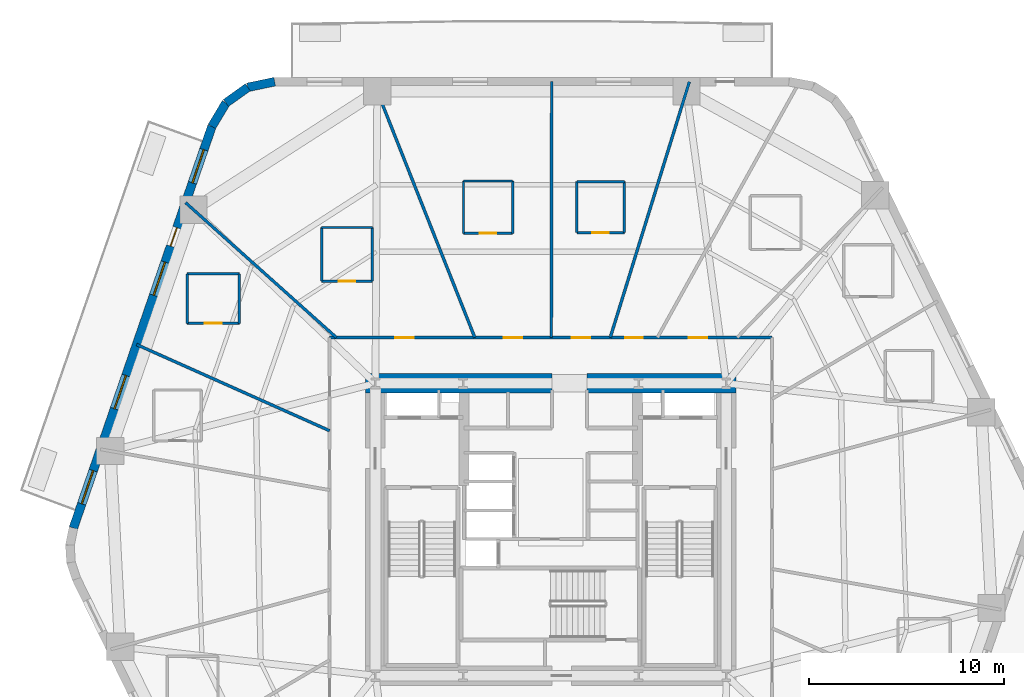
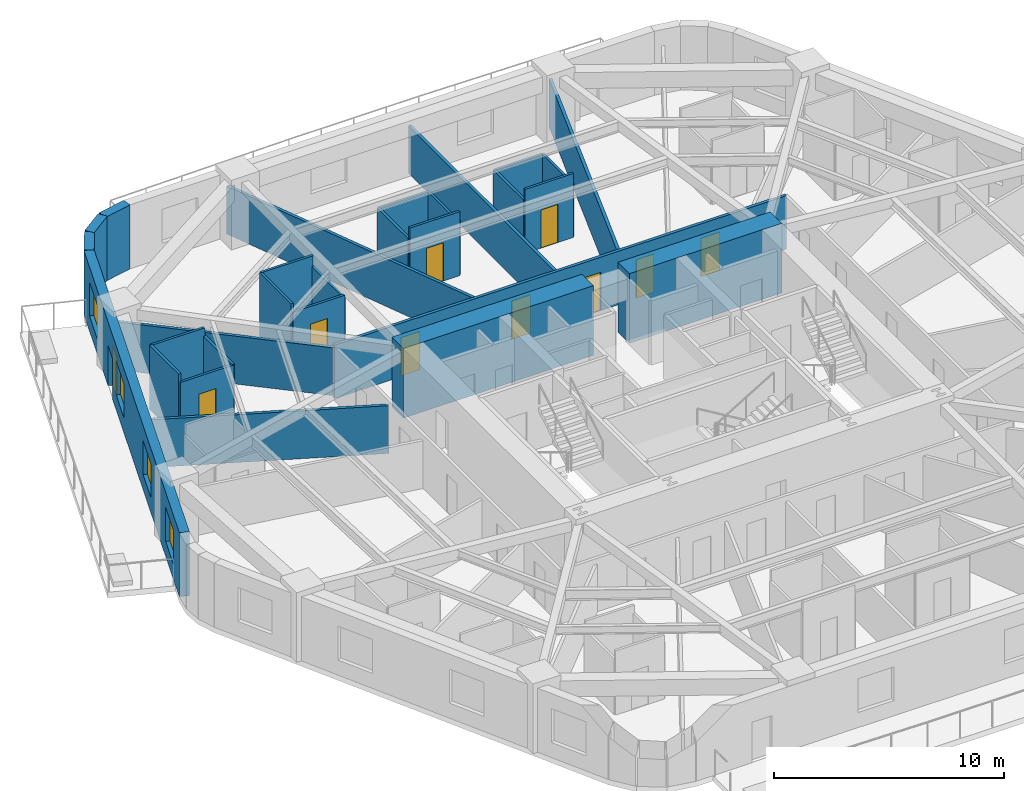
# One storey, part 6 of 11: 28 walls, 10 doors, 4 windows, 14 openings.
"""IFC4 building model written with IfcOpenShell, lengths in metres."""

from ifc_helpers import new_model, si_unit, direction, frame, frame_2d, origin, place, context, subcontext, project, spatial, rectangle, extrude, material, layer, layer_set, type_object, element, fill, save


model = new_model("IFC4")

# Units and contexts
model_context = context("Model", 3, precision=1e-05, world=origin(), true_north=direction((0.0, 1.0)))
body_context = subcontext(model_context, "Body", "Model", "MODEL_VIEW")
ifc_project = project(units=[si_unit("LENGTHUNIT", "METRE"), si_unit("AREAUNIT", "SQUARE_METRE"), si_unit("VOLUMEUNIT", "CUBIC_METRE"), si_unit("PLANEANGLEUNIT", "RADIAN"), si_unit("MASSUNIT", "GRAM", prefix="KILO")], contexts=[model_context])

# Site, building, storey
site_placement = place(None, origin())
site = spatial("IfcSite", under=ifc_project, at=site_placement, CompositionType="ELEMENT")
building_placement = place(site_placement, origin())
building = spatial("IfcBuilding", under=site, at=building_placement, Name="Kilnhurst Terrace Hotel", CompositionType="ELEMENT")
storey_placement = place(building_placement, frame((0.0, 0.0, 34.199951171875)))
storey = spatial("IfcBuildingStorey", under=building, at=storey_placement, Name="L06", CompositionType="ELEMENT", Elevation=34.199951171875)

# Walls
ifc_material_1 = material(Name="Precast concrete C40/50", Category="concrete")
ifc_layer_1 = layer(ifc_material_1, 0.449951171875, Name="Precast concrete C40/50")
ifc_layer_set_1 = layer_set([ifc_layer_1], Name="Precast concrete C40/50")
wall_type_1 = type_object("IfcWallType", Name="WL-BRK-450", PredefinedType="SOLIDWALL", material=ifc_layer_set_1)
wall_1_placement = place(storey_placement, frame((-14.168212890625, 22.97509765625, 0.0), z_axis=(0.0, 0.0, 1.0), x_axis=(-0.978770371074, -0.204959900243, 0.0)))
element("IfcWall", 1, at=wall_1_placement, inside=storey, type_object=wall_type_1, Name="L06 Rounded Corner Brick Wall C5.1", PredefinedType="SOLIDWALL", context=body_context, shape_type="SweptSolid", body=[
    extrude(rectangle(XDim=1.405517578125, YDim=0.449951171875, at=frame_2d((0.70263671875, 0.0))), origin(), (0.0, 0.0, 1.0), 3.400146484375),
])
wall_2_placement = place(storey_placement, frame((-15.5439453125, 22.68701171875, 0.0), z_axis=(0.0, 0.0, 1.0), x_axis=(-0.814210854316, -0.580569276412, 0.0)))
element("IfcWall", 2, at=wall_2_placement, inside=storey, type_object=wall_type_1, Name="L06 Rounded Corner Brick Wall C5.2", PredefinedType="SOLIDWALL", context=body_context, shape_type="SweptSolid", body=[
    extrude(rectangle(XDim=1.38134765625, YDim=0.449951171875, at=frame_2d((0.690673828125, 0.0))), origin(), (0.0, 0.0, 1.0), 3.400146484375),
])
wall_3_placement = place(storey_placement, frame((-16.668701171875, 21.885009765625, 0.0), z_axis=(0.0, 0.0, 1.0), x_axis=(-0.512936712947, -0.858426425799, 0.0)))
element("IfcWall", 3, at=wall_3_placement, inside=storey, type_object=wall_type_1, Name="L06 Rounded Corner Brick Wall C5.3", PredefinedType="SOLIDWALL", context=body_context, shape_type="SweptSolid", body=[
    extrude(rectangle(XDim=1.405517578125, YDim=0.449951171875, at=frame_2d((0.70263671875, 0.0))), origin(), (0.0, 0.0, 1.0), 3.400146484375),
])

# Wall, openings, door, windows
wall_4_placement = place(storey_placement, frame((-17.3896484375, 20.678466796875, 0.0), z_axis=(0.0, 0.0, 1.0), x_axis=(-0.326068018294, -0.945346310854, 0.0)))
wall_4 = element("IfcWall", 4, at=wall_4_placement, inside=storey, type_object=wall_type_1, Name="L06 Exterior Brick Facade Wall F5", PredefinedType="SOLIDWALL", context=body_context, shape_type="SweptSolid", body=[
    extrude(rectangle(XDim=21.79296875, YDim=0.449951171875, at=frame_2d((10.896484375, 0.0))), origin(), (0.0, 0.0, 1.0), 3.400146484375),
])
opening_1_placement = place(wall_4_placement, frame((5.492919921875, 0.0, 0.0)))
opening_1 = element("IfcOpeningElement", 5, at=opening_1_placement, cuts=wall_4, Name="Opening BD-1000", PredefinedType="OPENING", context=body_context, shape_type="SweptSolid", body=[
    extrude(rectangle(XDim=1.0, YDim=2.14990234375, at=frame_2d((0.5, 1.074951171875))), frame((0.0, 0.23486328125, 0.0), z_axis=(0.0, -1.0, 0.0), x_axis=(1.0, 0.0, 0.0)), (0.0, 0.0, 1.0), 0.469970703125),
])
opening_2_placement = place(wall_4_placement, frame((1.260009765625, 0.0, 0.800048828125)))
opening_2 = element("IfcOpeningElement", 6, at=opening_2_placement, cuts=wall_4, Name="Opening W-01", PredefinedType="OPENING", context=body_context, shape_type="SweptSolid", body=[
    extrude(rectangle(XDim=1.800048828125, YDim=1.800048828125, at=frame_2d((0.89990234375, 0.89990234375))), frame((0.0, 0.23486328125, 0.0), z_axis=(0.0, -1.0, 0.0), x_axis=(1.0, 0.0, 0.0)), (0.0, 0.0, 1.0), 0.469970703125),
])
opening_3_placement = place(wall_4_placement, frame((7.363037109375, 0.0, 0.800048828125)))
opening_3 = element("IfcOpeningElement", 7, at=opening_3_placement, cuts=wall_4, Name="Opening W-01", PredefinedType="OPENING", context=body_context, shape_type="SweptSolid", body=[
    extrude(rectangle(XDim=1.800048828125, YDim=1.800048828125, at=frame_2d((0.89990234375, 0.89990234375))), frame((0.0, 0.23486328125, 0.0), z_axis=(0.0, -1.0, 0.0), x_axis=(1.0, 0.0, 0.0)), (0.0, 0.0, 1.0), 0.469970703125),
])
opening_4_placement = place(wall_4_placement, frame((13.51806640625, 0.0, 0.800048828125)))
opening_4 = element("IfcOpeningElement", 8, at=opening_4_placement, cuts=wall_4, Name="Opening W-01", PredefinedType="OPENING", context=body_context, shape_type="SweptSolid", body=[
    extrude(rectangle(XDim=1.800048828125, YDim=1.800048828125, at=frame_2d((0.89990234375, 0.89990234375))), frame((0.0, 0.23486328125, 0.0), z_axis=(0.0, -1.0, 0.0), x_axis=(1.0, 0.0, 0.0)), (0.0, 0.0, 1.0), 0.469970703125),
])
opening_5_placement = place(wall_4_placement, frame((18.679931640625, 0.0, 0.800048828125)))
opening_5 = element("IfcOpeningElement", 9, at=opening_5_placement, cuts=wall_4, Name="Opening W-01", PredefinedType="OPENING", context=body_context, shape_type="SweptSolid", body=[
    extrude(rectangle(XDim=1.800048828125, YDim=1.800048828125, at=frame_2d((0.89990234375, 0.89990234375))), frame((0.0, 0.23486328125, 0.0), z_axis=(0.0, -1.0, 0.0), x_axis=(1.0, 0.0, 0.0)), (0.0, 0.0, 1.0), 0.469970703125),
])
ifc_material_2 = material(Name="Thermally Broken Bronze Aluminium Alloy 6063-T6 and Laminated Glass", Category="aluminium")
door_type_1 = type_object("IfcDoorType", Name="DR-EXT-BAL-1000", OperationType="NOTDEFINED", PredefinedType="DOOR", material=ifc_material_2)
door_1_placement = place(opening_1_placement, origin())
door_1 = element("IfcDoor", 10, at=door_1_placement, inside=storey, type_object=door_type_1, Name="L06 Planted Balcony Door BAL-L2B", OperationType="SINGLE_SWING_LEFT", OverallHeight=2.14990234375, OverallWidth=1.0, PredefinedType="DOOR", context=body_context, shape_type="SweptSolid", body=[
    extrude(rectangle(XDim=1.0, YDim=2.14990234375, at=frame_2d((0.5, 1.074951171875))), frame((0.0, 0.02490234375, 0.0), z_axis=(0.0, -1.0, 0.0), x_axis=(1.0, 0.0, 0.0)), (0.0, 0.0, 1.0), 0.050048828125),
])
fill(opening_1, door_1)
ifc_material_3 = material(Name="Thermally Broken Bronze Aluminium Alloy 6063-T6 and Low-E Glass", Category="aluminium")
window_type = type_object("IfcWindowType", Name="WIN-1800X1800", PartitioningType="SINGLE_PANEL", PredefinedType="WINDOW", material=ifc_material_3)
window_1_placement = place(opening_2_placement, origin())
window_1 = element("IfcWindow", 11, at=window_1_placement, inside=storey, type_object=window_type, Name="L06 Deep-Set Masonry Window F5.1", OverallHeight=1.800048828125, OverallWidth=1.800048828125, PartitioningType="SINGLE_PANEL", PredefinedType="WINDOW", context=body_context, shape_type="SweptSolid", body=[
    extrude(rectangle(XDim=1.800048828125, YDim=1.800048828125, at=frame_2d((0.89990234375, 0.89990234375))), frame((0.0, 0.030029296875, 0.0), z_axis=(0.0, -1.0, 0.0), x_axis=(1.0, 0.0, 0.0)), (0.0, 0.0, 1.0), 0.06005859375),
])
fill(opening_2, window_1)
window_2_placement = place(opening_3_placement, origin())
window_2 = element("IfcWindow", 12, at=window_2_placement, inside=storey, type_object=window_type, Name="L06 Deep-Set Masonry Window F5.2", OverallHeight=1.800048828125, OverallWidth=1.800048828125, PartitioningType="SINGLE_PANEL", PredefinedType="WINDOW", context=body_context, shape_type="SweptSolid", body=[
    extrude(rectangle(XDim=1.800048828125, YDim=1.800048828125, at=frame_2d((0.89990234375, 0.89990234375))), frame((0.0, 0.030029296875, 0.0), z_axis=(0.0, -1.0, 0.0), x_axis=(1.0, 0.0, 0.0)), (0.0, 0.0, 1.0), 0.06005859375),
])
fill(opening_3, window_2)
window_3_placement = place(opening_4_placement, origin())
window_3 = element("IfcWindow", 13, at=window_3_placement, inside=storey, type_object=window_type, Name="L06 Deep-Set Masonry Window F5.3", OverallHeight=1.800048828125, OverallWidth=1.800048828125, PartitioningType="SINGLE_PANEL", PredefinedType="WINDOW", context=body_context, shape_type="SweptSolid", body=[
    extrude(rectangle(XDim=1.800048828125, YDim=1.800048828125, at=frame_2d((0.89990234375, 0.89990234375))), frame((0.0, 0.030029296875, 0.0), z_axis=(0.0, -1.0, 0.0), x_axis=(1.0, 0.0, 0.0)), (0.0, 0.0, 1.0), 0.06005859375),
])
fill(opening_4, window_3)
window_4_placement = place(opening_5_placement, origin())
window_4 = element("IfcWindow", 14, at=window_4_placement, inside=storey, type_object=window_type, Name="L06 Deep-Set Masonry Window F5.4", OverallHeight=1.800048828125, OverallWidth=1.800048828125, PartitioningType="SINGLE_PANEL", PredefinedType="WINDOW", context=body_context, shape_type="SweptSolid", body=[
    extrude(rectangle(XDim=1.800048828125, YDim=1.800048828125, at=frame_2d((0.89990234375, 0.89990234375))), frame((0.0, 0.030029296875, 0.0), z_axis=(0.0, -1.0, 0.0), x_axis=(1.0, 0.0, 0.0)), (0.0, 0.0, 1.0), 0.06005859375),
])
fill(opening_5, window_4)

# Wall, openings, doors
ifc_material_4 = material(Name="Acoustic Double-Gypsum Corridor Partition Assembly")
ifc_layer_2 = layer(ifc_material_4, 0.14990234375, Name="Acoustic Double-Gypsum Corridor Partition Assembly")
ifc_layer_set_2 = layer_set([ifc_layer_2], Name="Acoustic Double-Gypsum Corridor Partition Assembly")
wall_type_2 = type_object("IfcWallType", Name="WL-COR-150", PredefinedType="PARTITIONING", material=ifc_layer_set_2)
wall_5_placement = place(storey_placement, frame((-11.35009765625, 9.85009765625, 0.0), z_axis=(0.0, 0.0, 1.0), x_axis=(1.0, 0.0, 0.0)))
wall_5 = element("IfcWall", 15, at=wall_5_placement, inside=storey, type_object=wall_type_2, Name="L06 Interior Wall WL-L06-COR-02", PredefinedType="PARTITIONING", context=body_context, shape_type="SweptSolid", body=[
    extrude(rectangle(XDim=22.7001953125, YDim=0.14990234375, at=frame_2d((11.35009765625, 0.0))), origin(), (0.0, 0.0, 1.0), 2.840087890625),
])
opening_6_placement = place(wall_5_placement, frame((18.43603515625, 0.0, 0.0)))
opening_6 = element("IfcOpeningElement", 16, at=opening_6_placement, cuts=wall_5, Name="Opening D-60B", PredefinedType="OPENING", context=body_context, shape_type="SweptSolid", body=[
    extrude(rectangle(XDim=0.949951171875, YDim=2.030029296875, at=frame_2d((0.47509765625, 1.01513671875))), frame((0.0, 0.0849609375, 0.0), z_axis=(0.0, -1.0, 0.0), x_axis=(1.0, 0.0, 0.0)), (0.0, 0.0, 1.0), 0.169921875),
])
opening_7_placement = place(wall_5_placement, frame((15.176025390625, 0.0, 0.0)))
opening_7 = element("IfcOpeningElement", 17, at=opening_7_placement, cuts=wall_5, Name="Opening D-60C", PredefinedType="OPENING", context=body_context, shape_type="SweptSolid", body=[
    extrude(rectangle(XDim=0.89990234375, YDim=2.030029296875, at=frame_2d((0.449951171875, 1.01513671875))), frame((0.0, 0.0849609375, 0.0), z_axis=(0.0, -1.0, 0.0), x_axis=(1.0, 0.0, 0.0)), (0.0, 0.0, 1.0), 0.169921875),
])
opening_8_placement = place(wall_5_placement, frame((12.4150390625, 0.0, 0.0)))
opening_8 = element("IfcOpeningElement", 18, at=opening_8_placement, cuts=wall_5, Name="Opening D-60B", PredefinedType="OPENING", context=body_context, shape_type="SweptSolid", body=[
    extrude(rectangle(XDim=0.949951171875, YDim=2.030029296875, at=frame_2d((0.47509765625, 1.01513671875))), frame((0.0, 0.0849609375, 0.0), z_axis=(0.0, -1.0, 0.0), x_axis=(1.0, 0.0, 0.0)), (0.0, 0.0, 1.0), 0.169921875),
])
opening_9_placement = place(wall_5_placement, frame((8.925048828125, 0.0, 0.0)))
opening_9 = element("IfcOpeningElement", 19, at=opening_9_placement, cuts=wall_5, Name="Opening D-60B", PredefinedType="OPENING", context=body_context, shape_type="SweptSolid", body=[
    extrude(rectangle(XDim=0.949951171875, YDim=2.030029296875, at=frame_2d((0.47509765625, 1.01513671875))), frame((0.0, 0.0849609375, 0.0), z_axis=(0.0, -1.0, 0.0), x_axis=(1.0, 0.0, 0.0)), (0.0, 0.0, 1.0), 0.169921875),
])
opening_10_placement = place(wall_5_placement, frame((3.368896484375, 0.0, 0.0)))
opening_10 = element("IfcOpeningElement", 20, at=opening_10_placement, cuts=wall_5, Name="Opening D-60B", PredefinedType="OPENING", context=body_context, shape_type="SweptSolid", body=[
    extrude(rectangle(XDim=0.949951171875, YDim=2.030029296875, at=frame_2d((0.47509765625, 1.01513671875))), frame((0.0, 0.0849609375, 0.0), z_axis=(0.0, -1.0, 0.0), x_axis=(1.0, 0.0, 0.0)), (0.0, 0.0, 1.0), 0.169921875),
])
ifc_material_5 = material(Name="Painted Solid-Core Service Fire Door")
door_type_2 = type_object("IfcDoorType", Name="DR-FD60-900", OperationType="NOTDEFINED", PredefinedType="DOOR", material=ifc_material_5)
door_2_placement = place(opening_7_placement, origin())
door_2 = element("IfcDoor", 21, at=door_2_placement, inside=storey, type_object=door_type_2, Name="L06 Executive Work Office Door 4", OperationType="SINGLE_SWING_RIGHT", OverallHeight=2.030029296875, OverallWidth=0.89990234375, PredefinedType="DOOR", context=body_context, shape_type="SweptSolid", body=[
    extrude(rectangle(XDim=0.89990234375, YDim=2.030029296875, at=frame_2d((0.449951171875, 1.01513671875))), frame((0.0, 0.02490234375, 0.0), z_axis=(0.0, -1.0, 0.0), x_axis=(1.0, 0.0, 0.0)), (0.0, 0.0, 1.0), 0.050048828125),
])
fill(opening_7, door_2)
ifc_material_6 = material(Name="Acoustic Walnut Veneer Solid-Core Fire Door")
door_type_3 = type_object("IfcDoorType", Name="DR-FD60-950", OperationType="NOTDEFINED", PredefinedType="DOOR", material=ifc_material_6)
door_3_placement = place(opening_6_placement, origin())
door_3 = element("IfcDoor", 22, at=door_3_placement, inside=storey, type_object=door_type_3, Name="L06 Guest Room Entry Door 3", OperationType="SINGLE_SWING_LEFT", OverallHeight=2.030029296875, OverallWidth=0.949951171875, PredefinedType="DOOR", context=body_context, shape_type="SweptSolid", body=[
    extrude(rectangle(XDim=0.949951171875, YDim=2.030029296875, at=frame_2d((0.47509765625, 1.01513671875))), frame((0.0, 0.02490234375, 0.0), z_axis=(0.0, -1.0, 0.0), x_axis=(1.0, 0.0, 0.0)), (0.0, 0.0, 1.0), 0.050048828125),
])
fill(opening_6, door_3)
door_4_placement = place(opening_8_placement, origin())
door_4 = element("IfcDoor", 23, at=door_4_placement, inside=storey, type_object=door_type_3, Name="L06 Guest Room Entry Door 5", OperationType="SINGLE_SWING_LEFT", OverallHeight=2.030029296875, OverallWidth=0.949951171875, PredefinedType="DOOR", context=body_context, shape_type="SweptSolid", body=[
    extrude(rectangle(XDim=0.949951171875, YDim=2.030029296875, at=frame_2d((0.47509765625, 1.01513671875))), frame((0.0, 0.02490234375, 0.0), z_axis=(0.0, -1.0, 0.0), x_axis=(1.0, 0.0, 0.0)), (0.0, 0.0, 1.0), 0.050048828125),
])
fill(opening_8, door_4)
door_5_placement = place(opening_9_placement, origin())
door_5 = element("IfcDoor", 24, at=door_5_placement, inside=storey, type_object=door_type_3, Name="L06 Executive Suite Entry Door 6", OperationType="SINGLE_SWING_RIGHT", OverallHeight=2.030029296875, OverallWidth=0.949951171875, PredefinedType="DOOR", context=body_context, shape_type="SweptSolid", body=[
    extrude(rectangle(XDim=0.949951171875, YDim=2.030029296875, at=frame_2d((0.47509765625, 1.01513671875))), frame((0.0, 0.02490234375, 0.0), z_axis=(0.0, -1.0, 0.0), x_axis=(1.0, 0.0, 0.0)), (0.0, 0.0, 1.0), 0.050048828125),
])
fill(opening_9, door_5)
door_6_placement = place(opening_10_placement, origin())
door_6 = element("IfcDoor", 25, at=door_6_placement, inside=storey, type_object=door_type_3, Name="L06 Executive Suite Entry Door 7", OperationType="SINGLE_SWING_LEFT", OverallHeight=2.030029296875, OverallWidth=0.949951171875, PredefinedType="DOOR", context=body_context, shape_type="SweptSolid", body=[
    extrude(rectangle(XDim=0.949951171875, YDim=2.030029296875, at=frame_2d((0.47509765625, 1.01513671875))), frame((0.0, 0.02490234375, 0.0), z_axis=(0.0, -1.0, 0.0), x_axis=(1.0, 0.0, 0.0)), (0.0, 0.0, 1.0), 0.050048828125),
])
fill(opening_10, door_6)

# Walls
ifc_material_7 = material(Name="Concrete C80/95", Category="concrete")
ifc_layer_3 = layer(ifc_material_7, 1.0, Name="Concrete C80/95")
ifc_layer_set_3 = layer_set([ifc_layer_3], Name="Concrete C80/95")
wall_type_3 = type_object("IfcWallType", Name="WL-CORE-1000", PredefinedType="SHEAR", material=ifc_layer_set_3)
wall_6_placement = place(storey_placement, frame((-9.5, 7.5, 0.0), z_axis=(0.0, 0.0, 1.0), x_axis=(1.0, 0.0, 0.0)))
element("IfcWall", 26, at=wall_6_placement, inside=storey, type_object=wall_type_3, Name="L06 Core North West Shear Wall", PredefinedType="SHEAR", context=body_context, shape_type="SweptSolid", body=[
    extrude(rectangle(XDim=9.550048828125, YDim=1.0, at=frame_2d((4.77490234375, 0.0))), origin(), (0.0, 0.0, 1.0), 3.699951171875),
])
wall_7_placement = place(storey_placement, frame((1.85009765625, 7.5, 0.0), z_axis=(0.0, 0.0, 1.0), x_axis=(1.0, 0.0, 0.0)))
element("IfcWall", 27, at=wall_7_placement, inside=storey, type_object=wall_type_3, Name="L06 Core North East Shear Wall", PredefinedType="SHEAR", context=body_context, shape_type="SweptSolid", body=[
    extrude(rectangle(XDim=7.64990234375, YDim=1.0, at=frame_2d((3.824951171875, 0.0))), origin(), (0.0, 0.0, 1.0), 3.699951171875),
])
ifc_material_8 = material(Name="STC-58 Acoustic Twin-Frame Guestroom Demising Partition")
ifc_layer_4 = layer(ifc_material_8, 0.14990234375, Name="STC-58 Acoustic Twin-Frame Guestroom Demising Partition")
ifc_layer_set_4 = layer_set([ifc_layer_4], Name="STC-58 Acoustic Twin-Frame Guestroom Demising Partition")
wall_type_4 = type_object("IfcWallType", Name="WL-DEM-150", PredefinedType="PARTITIONING", material=ifc_layer_set_4)
wall_8_placement = place(storey_placement, frame((3.047607421875, 9.85009765625, 0.0), z_axis=(0.0, 0.0, 1.0), x_axis=(0.295553992761, 0.955326037206, 0.0)))
element("IfcWall", 28, at=wall_8_placement, inside=storey, type_object=wall_type_4, Name="L06 Interior Wall WL-L06-DEM-COL03-05-1", PredefinedType="PARTITIONING", context=body_context, shape_type="SweptSolid", body=[
    extrude(rectangle(XDim=13.73876953125, YDim=0.14990234375, at=frame_2d((6.869384765625, 0.0))), origin(), (0.0, 0.0, 1.0), 2.5400390625),
])
wall_9_placement = place(storey_placement, frame((0.0205078125, 9.85009765625, 0.0), z_axis=(0.0, 0.0, 1.0), x_axis=(0.002064727742, 0.999997868447, 0.0)))
element("IfcWall", 29, at=wall_9_placement, inside=storey, type_object=wall_type_4, Name="L06 Interior Wall WL-L06-DEM-MID03-06-1", PredefinedType="PARTITIONING", context=body_context, shape_type="SweptSolid", body=[
    extrude(rectangle(XDim=13.125, YDim=0.14990234375, at=frame_2d((6.5625, 0.0))), origin(), (0.0, 0.0, 1.0), 2.5400390625),
])
wall_10_placement = place(storey_placement, frame((-3.90185546875, 9.85009765625, 0.0), z_axis=(0.0, 0.0, 1.0), x_axis=(-0.36828765711, 0.929711891728, 0.0)))
element("IfcWall", 30, at=wall_10_placement, inside=storey, type_object=wall_type_4, Name="L06 Interior Wall WL-L06-DEM-COL04-07-1", PredefinedType="PARTITIONING", context=body_context, shape_type="SweptSolid", body=[
    extrude(rectangle(XDim=14.1171875, YDim=0.14990234375, at=frame_2d((7.05859375, 0.0))), origin(), (0.0, 0.0, 1.0), 2.5400390625),
])
wall_11_placement = place(storey_placement, frame((-11.006591796875, 9.85009765625, 0.0), z_axis=(0.0, 0.0, 1.0), x_axis=(-0.745177305978, 0.666866390407, 0.0)))
element("IfcWall", 31, at=wall_11_placement, inside=storey, type_object=wall_type_4, Name="L06 Interior Wall WL-L06-DEM-COL05-08-1", PredefinedType="PARTITIONING", context=body_context, shape_type="SweptSolid", body=[
    extrude(rectangle(XDim=10.375244140625, YDim=0.14990234375, at=frame_2d((5.1875, 0.0))), origin(), (0.0, 0.0, 1.0), 2.5400390625),
])
wall_12_placement = place(storey_placement, frame((-11.35009765625, 5.068115234375, 0.0), z_axis=(0.0, 0.0, 1.0), x_axis=(-0.913107192911, 0.407719577963, 0.0)))
element("IfcWall", 32, at=wall_12_placement, inside=storey, type_object=wall_type_4, Name="L06 Interior Wall WL-L06-DEM-MID05-09-1", PredefinedType="PARTITIONING", context=body_context, shape_type="SweptSolid", body=[
    extrude(rectangle(XDim=10.84130859375, YDim=0.14990234375, at=frame_2d((5.420654296875, 0.0))), origin(), (0.0, 0.0, 1.0), 2.5400390625),
])

# Wall, opening, door
ifc_material_9 = material(Name="120 mm Moisture-Resistant Tile-Backed Bathroom Partition")
ifc_layer_5 = layer(ifc_material_9, 0.1201171875, Name="120 mm Moisture-Resistant Tile-Backed Bathroom Partition")
ifc_layer_set_5 = layer_set([ifc_layer_5], Name="120 mm Moisture-Resistant Tile-Backed Bathroom Partition")
wall_type_5 = type_object("IfcWallType", Name="WL-PART-120", PredefinedType="PARTITIONING", material=ifc_layer_set_5)
wall_13_placement = place(storey_placement, frame((1.3310546875, 15.23193359375, 0.0), z_axis=(0.0, 0.0, 1.0), x_axis=(1.0, 0.0, 0.0)))
wall_13 = element("IfcWall", 33, at=wall_13_placement, inside=storey, type_object=wall_type_5, Name="L06 Interior Wall WL-L06-BTH-05-1", PredefinedType="PARTITIONING", context=body_context, shape_type="SweptSolid", body=[
    extrude(rectangle(XDim=2.43994140625, YDim=0.1201171875, at=frame_2d((1.219970703125, 0.0))), origin(), (0.0, 0.0, 1.0), 3.400146484375),
])
opening_11_placement = place(wall_13_placement, frame((0.794921875, 0.0, 0.0)))
opening_11 = element("IfcOpeningElement", 34, at=opening_11_placement, cuts=wall_13, Name="Opening D-08A", PredefinedType="OPENING", context=body_context, shape_type="SweptSolid", body=[
    extrude(rectangle(XDim=0.85009765625, YDim=2.030029296875, at=frame_2d((0.425048828125, 1.01513671875))), frame((0.0, 0.070068359375, 0.0), z_axis=(0.0, -1.0, 0.0), x_axis=(1.0, 0.0, 0.0)), (0.0, 0.0, 1.0), 0.14013671875),
])
ifc_material_10 = material(Name="Moisture-Resistant Lacquered En-suite Bathroom Door")
door_type_4 = type_object("IfcDoorType", Name="DR-INT-850", OperationType="NOTDEFINED", PredefinedType="DOOR", material=ifc_material_10)
door_7_placement = place(opening_11_placement, origin())
door_7 = element("IfcDoor", 35, at=door_7_placement, inside=storey, type_object=door_type_4, Name="L06 En-suite Bathroom Door 5", OperationType="SINGLE_SWING_RIGHT", OverallHeight=2.030029296875, OverallWidth=0.85009765625, PredefinedType="DOOR", context=body_context, shape_type="SweptSolid", body=[
    extrude(rectangle(XDim=0.85009765625, YDim=2.030029296875, at=frame_2d((0.425048828125, 1.01513671875))), frame((0.0, 0.02490234375, 0.0), z_axis=(0.0, -1.0, 0.0), x_axis=(1.0, 0.0, 0.0)), (0.0, 0.0, 1.0), 0.050048828125),
])
fill(opening_11, door_7)

# Walls
wall_14_placement = place(storey_placement, frame((3.77099609375, 15.23193359375, 0.0), z_axis=(0.0, 0.0, 1.0), x_axis=(0.0, 1.0, 0.0)))
element("IfcWall", 36, at=wall_14_placement, inside=storey, type_object=wall_type_5, Name="L06 Interior Wall WL-L06-BTH-05-2", PredefinedType="PARTITIONING", context=body_context, shape_type="SweptSolid", body=[
    extrude(rectangle(XDim=2.610107421875, YDim=0.1201171875, at=frame_2d((1.30517578125, 0.0))), origin(), (0.0, 0.0, 1.0), 2.840576171875),
])
wall_15_placement = place(storey_placement, frame((3.77099609375, 17.842041015625, 0.0), z_axis=(0.0, 0.0, 1.0), x_axis=(-1.0, 0.0, 0.0)))
element("IfcWall", 37, at=wall_15_placement, inside=storey, type_object=wall_type_5, Name="L06 Interior Wall WL-L06-BTH-05-3", PredefinedType="PARTITIONING", context=body_context, shape_type="SweptSolid", body=[
    extrude(rectangle(XDim=2.43994140625, YDim=0.1201171875, at=frame_2d((1.219970703125, 0.0))), origin(), (0.0, 0.0, 1.0), 2.840576171875),
])
wall_16_placement = place(storey_placement, frame((1.3310546875, 17.842041015625, 0.0), z_axis=(0.0, 0.0, 1.0), x_axis=(0.0, -1.0, 0.0)))
element("IfcWall", 38, at=wall_16_placement, inside=storey, type_object=wall_type_5, Name="L06 Interior Wall WL-L06-BTH-05-4", PredefinedType="PARTITIONING", context=body_context, shape_type="SweptSolid", body=[
    extrude(rectangle(XDim=2.610107421875, YDim=0.1201171875, at=frame_2d((1.30517578125, 0.0))), origin(), (0.0, 0.0, 1.0), 2.840576171875),
])

# Wall, opening, door
wall_17_placement = place(storey_placement, frame((-4.47900390625, 15.197021484375, 0.0), z_axis=(0.0, 0.0, 1.0), x_axis=(1.0, 0.0, 0.0)))
wall_17 = element("IfcWall", 39, at=wall_17_placement, inside=storey, type_object=wall_type_5, Name="L06 Interior Wall WL-L06-BTH-06-1", PredefinedType="PARTITIONING", context=body_context, shape_type="SweptSolid", body=[
    extrude(rectangle(XDim=2.52001953125, YDim=0.1201171875, at=frame_2d((1.260009765625, 0.0))), origin(), (0.0, 0.0, 1.0), 3.400146484375),
])
opening_12_placement = place(wall_17_placement, frame((0.8349609375, 0.0, 0.0)))
opening_12 = element("IfcOpeningElement", 40, at=opening_12_placement, cuts=wall_17, Name="Opening D-08A", PredefinedType="OPENING", context=body_context, shape_type="SweptSolid", body=[
    extrude(rectangle(XDim=0.85009765625, YDim=2.030029296875, at=frame_2d((0.425048828125, 1.01513671875))), frame((0.0, 0.070068359375, 0.0), z_axis=(0.0, -1.0, 0.0), x_axis=(1.0, 0.0, 0.0)), (0.0, 0.0, 1.0), 0.14013671875),
])
door_8_placement = place(opening_12_placement, origin())
door_8 = element("IfcDoor", 41, at=door_8_placement, inside=storey, type_object=door_type_4, Name="L06 En-suite Bathroom Door 6", OperationType="SINGLE_SWING_LEFT", OverallHeight=2.030029296875, OverallWidth=0.85009765625, PredefinedType="DOOR", context=body_context, shape_type="SweptSolid", body=[
    extrude(rectangle(XDim=0.85009765625, YDim=2.030029296875, at=frame_2d((0.425048828125, 1.01513671875))), frame((0.0, 0.02490234375, 0.0), z_axis=(0.0, -1.0, 0.0), x_axis=(1.0, 0.0, 0.0)), (0.0, 0.0, 1.0), 0.050048828125),
])
fill(opening_12, door_8)

# Walls
wall_18_placement = place(storey_placement, frame((-1.958984375, 15.197021484375, 0.0), z_axis=(0.0, 0.0, 1.0), x_axis=(0.0, 1.0, 0.0)))
element("IfcWall", 42, at=wall_18_placement, inside=storey, type_object=wall_type_5, Name="L06 Interior Wall WL-L06-BTH-06-2", PredefinedType="PARTITIONING", context=body_context, shape_type="SweptSolid", body=[
    extrude(rectangle(XDim=2.679931640625, YDim=0.1201171875, at=frame_2d((1.33984375, 0.0))), origin(), (0.0, 0.0, 1.0), 2.840576171875),
])
wall_19_placement = place(storey_placement, frame((-1.958984375, 17.876953125, 0.0), z_axis=(0.0, 0.0, 1.0), x_axis=(-1.0, 0.0, 0.0)))
element("IfcWall", 43, at=wall_19_placement, inside=storey, type_object=wall_type_5, Name="L06 Interior Wall WL-L06-BTH-06-3", PredefinedType="PARTITIONING", context=body_context, shape_type="SweptSolid", body=[
    extrude(rectangle(XDim=2.52001953125, YDim=0.1201171875, at=frame_2d((1.260009765625, 0.0))), origin(), (0.0, 0.0, 1.0), 2.840576171875),
])
wall_20_placement = place(storey_placement, frame((-4.47900390625, 17.876953125, 0.0), z_axis=(0.0, 0.0, 1.0), x_axis=(0.0, -1.0, 0.0)))
element("IfcWall", 44, at=wall_20_placement, inside=storey, type_object=wall_type_5, Name="L06 Interior Wall WL-L06-BTH-06-4", PredefinedType="PARTITIONING", context=body_context, shape_type="SweptSolid", body=[
    extrude(rectangle(XDim=2.679931640625, YDim=0.1201171875, at=frame_2d((1.33984375, 0.0))), origin(), (0.0, 0.0, 1.0), 2.840576171875),
])

# Wall, opening, door
wall_21_placement = place(storey_placement, frame((-11.761962890625, 12.742919921875, 0.0), z_axis=(0.0, 0.0, 1.0), x_axis=(1.0, 0.0, 0.0)))
wall_21 = element("IfcWall", 45, at=wall_21_placement, inside=storey, type_object=wall_type_5, Name="L06 Interior Wall WL-L06-BTH-07-1", PredefinedType="PARTITIONING", context=body_context, shape_type="SweptSolid", body=[
    extrude(rectangle(XDim=2.599853515625, YDim=0.1201171875, at=frame_2d((1.2998046875, 0.0))), origin(), (0.0, 0.0, 1.0), 2.972412109375),
])
opening_13_placement = place(wall_21_placement, frame((0.875, 0.0, 0.0)))
opening_13 = element("IfcOpeningElement", 46, at=opening_13_placement, cuts=wall_21, Name="Opening D-08A", PredefinedType="OPENING", context=body_context, shape_type="SweptSolid", body=[
    extrude(rectangle(XDim=0.85009765625, YDim=2.030029296875, at=frame_2d((0.425048828125, 1.01513671875))), frame((0.0, 0.070068359375, 0.0), z_axis=(0.0, -1.0, 0.0), x_axis=(1.0, 0.0, 0.0)), (0.0, 0.0, 1.0), 0.14013671875),
])
door_9_placement = place(opening_13_placement, origin())
door_9 = element("IfcDoor", 47, at=door_9_placement, inside=storey, type_object=door_type_4, Name="L06 En-suite Bathroom Door 7", OperationType="SINGLE_SWING_RIGHT", OverallHeight=2.030029296875, OverallWidth=0.85009765625, PredefinedType="DOOR", context=body_context, shape_type="SweptSolid", body=[
    extrude(rectangle(XDim=0.85009765625, YDim=2.030029296875, at=frame_2d((0.425048828125, 1.01513671875))), frame((0.0, 0.02490234375, 0.0), z_axis=(0.0, -1.0, 0.0), x_axis=(1.0, 0.0, 0.0)), (0.0, 0.0, 1.0), 0.050048828125),
])
fill(opening_13, door_9)

# Walls
wall_22_placement = place(storey_placement, frame((-9.162109375, 12.742919921875, 0.0), z_axis=(0.0, 0.0, 1.0), x_axis=(0.0, 1.0, 0.0)))
element("IfcWall", 48, at=wall_22_placement, inside=storey, type_object=wall_type_5, Name="L06 Interior Wall WL-L06-BTH-07-2", PredefinedType="PARTITIONING", context=body_context, shape_type="SweptSolid", body=[
    extrude(rectangle(XDim=2.75, YDim=0.1201171875, at=frame_2d((1.375, 0.0))), origin(), (0.0, 0.0, 1.0), 2.840087890625),
])
wall_23_placement = place(storey_placement, frame((-9.162109375, 15.492919921875, 0.0), z_axis=(0.0, 0.0, 1.0), x_axis=(-1.0, 0.0, 0.0)))
element("IfcWall", 49, at=wall_23_placement, inside=storey, type_object=wall_type_5, Name="L06 Interior Wall WL-L06-BTH-07-3", PredefinedType="PARTITIONING", context=body_context, shape_type="SweptSolid", body=[
    extrude(rectangle(XDim=2.599853515625, YDim=0.1201171875, at=frame_2d((1.2998046875, 0.0))), origin(), (0.0, 0.0, 1.0), 3.400146484375),
])
wall_24_placement = place(storey_placement, frame((-11.761962890625, 15.492919921875, 0.0), z_axis=(0.0, 0.0, 1.0), x_axis=(0.0, -1.0, 0.0)))
element("IfcWall", 50, at=wall_24_placement, inside=storey, type_object=wall_type_5, Name="L06 Interior Wall WL-L06-BTH-07-4", PredefinedType="PARTITIONING", context=body_context, shape_type="SweptSolid", body=[
    extrude(rectangle(XDim=2.75, YDim=0.1201171875, at=frame_2d((1.375, 0.0))), origin(), (0.0, 0.0, 1.0), 3.400146484375),
])

# Wall, opening, door
wall_25_placement = place(storey_placement, frame((-18.658935546875, 10.573974609375, 0.0), z_axis=(0.0, 0.0, 1.0), x_axis=(1.0, 0.0, 0.0)))
wall_25 = element("IfcWall", 51, at=wall_25_placement, inside=storey, type_object=wall_type_5, Name="L06 Interior Wall WL-L06-BTH-08-1", PredefinedType="PARTITIONING", context=body_context, shape_type="SweptSolid", body=[
    extrude(rectangle(XDim=2.679931640625, YDim=0.1201171875, at=frame_2d((1.33984375, 0.0))), origin(), (0.0, 0.0, 1.0), 2.972412109375),
])
opening_14_placement = place(wall_25_placement, frame((0.9150390625, 0.0, 0.0)))
opening_14 = element("IfcOpeningElement", 52, at=opening_14_placement, cuts=wall_25, Name="Opening D-08A", PredefinedType="OPENING", context=body_context, shape_type="SweptSolid", body=[
    extrude(rectangle(XDim=0.85009765625, YDim=2.030029296875, at=frame_2d((0.425048828125, 1.01513671875))), frame((0.0, 0.070068359375, 0.0), z_axis=(0.0, -1.0, 0.0), x_axis=(1.0, 0.0, 0.0)), (0.0, 0.0, 1.0), 0.14013671875),
])
door_10_placement = place(opening_14_placement, origin())
door_10 = element("IfcDoor", 53, at=door_10_placement, inside=storey, type_object=door_type_4, Name="L06 En-suite Bathroom Door 8", OperationType="SINGLE_SWING_LEFT", OverallHeight=2.030029296875, OverallWidth=0.85009765625, PredefinedType="DOOR", context=body_context, shape_type="SweptSolid", body=[
    extrude(rectangle(XDim=0.85009765625, YDim=2.030029296875, at=frame_2d((0.425048828125, 1.01513671875))), frame((0.0, 0.02490234375, 0.0), z_axis=(0.0, -1.0, 0.0), x_axis=(1.0, 0.0, 0.0)), (0.0, 0.0, 1.0), 0.050048828125),
])
fill(opening_14, door_10)

# Walls
wall_26_placement = place(storey_placement, frame((-15.97900390625, 10.573974609375, 0.0), z_axis=(0.0, 0.0, 1.0), x_axis=(0.0, 1.0, 0.0)))
element("IfcWall", 54, at=wall_26_placement, inside=storey, type_object=wall_type_5, Name="L06 Interior Wall WL-L06-BTH-08-2", PredefinedType="PARTITIONING", context=body_context, shape_type="SweptSolid", body=[
    extrude(rectangle(XDim=2.5400390625, YDim=0.1201171875, at=frame_2d((1.27001953125, 0.0))), origin(), (0.0, 0.0, 1.0), 2.972412109375),
])
wall_27_placement = place(storey_placement, frame((-15.97900390625, 13.114013671875, 0.0), z_axis=(0.0, 0.0, 1.0), x_axis=(-1.0, 0.0, 0.0)))
element("IfcWall", 55, at=wall_27_placement, inside=storey, type_object=wall_type_5, Name="L06 Interior Wall WL-L06-BTH-08-3", PredefinedType="PARTITIONING", context=body_context, shape_type="SweptSolid", body=[
    extrude(rectangle(XDim=2.679931640625, YDim=0.1201171875, at=frame_2d((1.33984375, 0.0))), origin(), (0.0, 0.0, 1.0), 3.400146484375),
])
wall_28_placement = place(storey_placement, frame((-18.658935546875, 13.114013671875, 0.0), z_axis=(0.0, 0.0, 1.0), x_axis=(0.0, -1.0, 0.0)))
element("IfcWall", 56, at=wall_28_placement, inside=storey, type_object=wall_type_5, Name="L06 Interior Wall WL-L06-BTH-08-4", PredefinedType="PARTITIONING", context=body_context, shape_type="SweptSolid", body=[
    extrude(rectangle(XDim=2.5400390625, YDim=0.1201171875, at=frame_2d((1.27001953125, 0.0))), origin(), (0.0, 0.0, 1.0), 3.400146484375),
])

save(model, "model.ifc")
